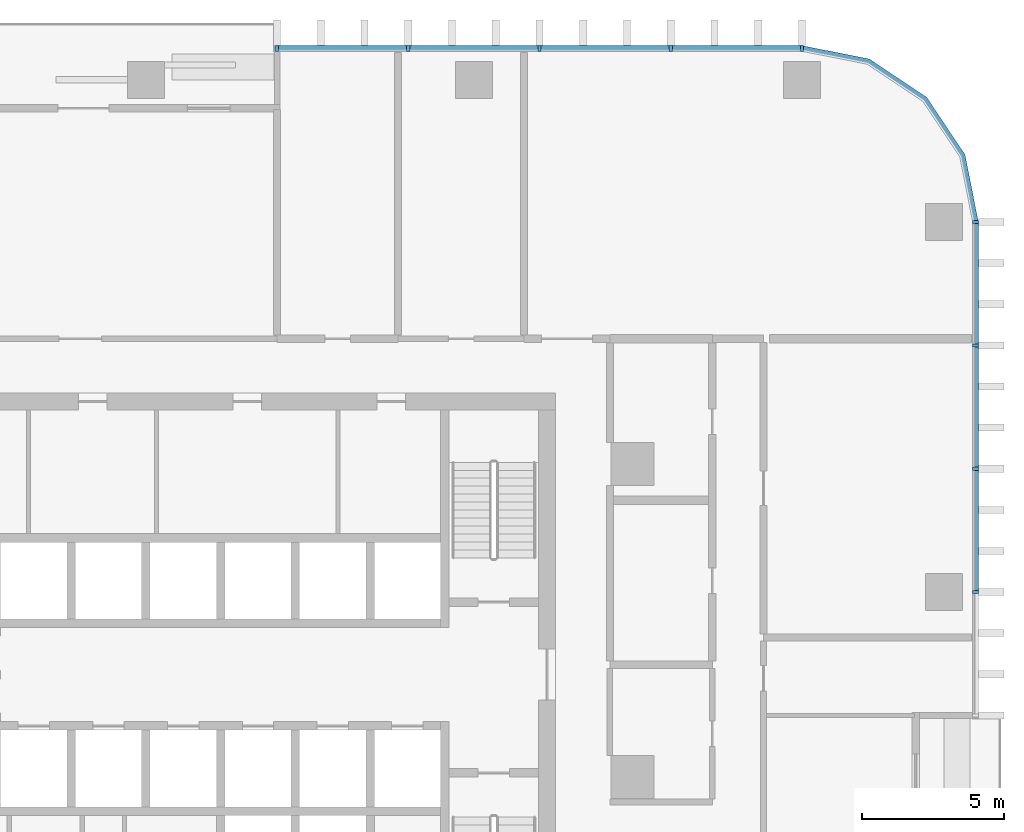
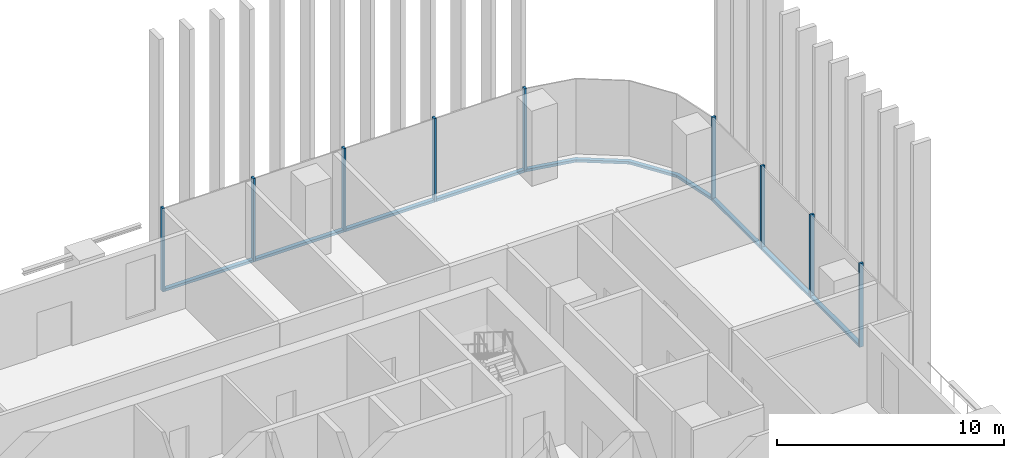
# One storey, part 5 of 17: 17 members, 3 elements without a shape of their own.
"""IFC4 building model written with IfcOpenShell, lengths in metres."""

from ifc_helpers import new_model, si_unit, direction, frame, origin, origin_2d, place, context, subcontext, project, spatial, polyline, rectangle, outline, extrude, material, material_profile, profile_set, type_object, element, aggregate, save


model = new_model("IFC4")

# Units and contexts
model_context = context("Model", 3, precision=1e-05, world=origin(), true_north=direction((0.0, 1.0)))
body_context = subcontext(model_context, "Body", "Model", "MODEL_VIEW")
ifc_project = project(units=[si_unit("LENGTHUNIT", "METRE"), si_unit("AREAUNIT", "SQUARE_METRE"), si_unit("VOLUMEUNIT", "CUBIC_METRE"), si_unit("PLANEANGLEUNIT", "RADIAN"), si_unit("MASSUNIT", "GRAM", prefix="KILO")], contexts=[model_context])

# Site, building, storey
site_placement = place(None, origin())
site = spatial("IfcSite", under=ifc_project, at=site_placement, CompositionType="ELEMENT")
building_placement = place(site_placement, origin())
building = spatial("IfcBuilding", under=site, at=building_placement, Name="Mopane Tessera Tower", CompositionType="ELEMENT")
storey_placement = place(building_placement, frame((0.0, 0.0, 121.60009765625)))
storey = spatial("IfcBuildingStorey", under=building, at=storey_placement, Name="L24", CompositionType="ELEMENT", Elevation=121.60009765625)

# Curtain wall, members
ifc_material_1 = material(Name="Aluminium frame", Category="aluminium")
curtain_wall_type = type_object("IfcCurtainWallType", Name="Lower tower unitised wall", PredefinedType="NOTDEFINED", material=ifc_material_1)
curtain_wall_1_placement = place(storey_placement, origin())
curtain_wall_1 = element("IfcCurtainWall", 1, at=curtain_wall_1_placement, inside=storey, type_object=curtain_wall_type, Name="e:cw:L24:E:5", PredefinedType="NOTDEFINED")
ifc_material_2 = material(Name="Aluminium frame", Category="aluminium")
ifc_material_profile_1 = material_profile(ifc_material_2, rectangle(XDim=0.110107421875, YDim=0.199951171875, at=origin_2d()))
ifc_profile_set_1 = profile_set([ifc_material_profile_1], Name="Aluminium frame")
member_type_1 = type_object("IfcMemberType", Name="Aluminium mullion 110 x 200", PredefinedType="MULLION", material=ifc_profile_set_1)
member_1_placement = place(storey_placement, frame((29.14990234375, 6.5, -0.4501953125), z_axis=(0.0, 0.0, 1.0), x_axis=(0.0, 1.0, 0.0)))
member_1 = element("IfcMember", 2, at=member_1_placement, type_object=member_type_1, Name="e:cw:L24:E:5:mu6", PredefinedType="MULLION", context=body_context, shape_type="SweptSolid", body=[
    extrude(rectangle(XDim=0.110107421875, YDim=0.199951171875, at=origin_2d()), origin(), (0.0, 0.0, 1.0), 4.5),
])
member_2_placement = place(storey_placement, frame((29.14990234375, 10.833251953125, -0.4501953125), z_axis=(0.0, 0.0, 1.0), x_axis=(0.0, 1.0, 0.0)))
member_2 = element("IfcMember", 3, at=member_2_placement, type_object=member_type_1, Name="e:cw:L24:E:5:mu7", PredefinedType="MULLION", context=body_context, shape_type="SweptSolid", body=[
    extrude(rectangle(XDim=0.110107421875, YDim=0.199951171875, at=origin_2d()), origin(), (0.0, 0.0, 1.0), 4.5),
])
member_3_placement = place(storey_placement, frame((29.14990234375, 15.166748046875, -0.4501953125), z_axis=(0.0, 0.0, 1.0), x_axis=(0.0, 1.0, 0.0)))
member_3 = element("IfcMember", 4, at=member_3_placement, type_object=member_type_1, Name="e:cw:L24:E:5:mu8", PredefinedType="MULLION", context=body_context, shape_type="SweptSolid", body=[
    extrude(rectangle(XDim=0.110107421875, YDim=0.199951171875, at=origin_2d()), origin(), (0.0, 0.0, 1.0), 4.5),
])
member_4_placement = place(storey_placement, frame((29.14990234375, 19.5, -0.4501953125), z_axis=(0.0, 0.0, 1.0), x_axis=(0.0, 1.0, 0.0)))
member_4 = element("IfcMember", 5, at=member_4_placement, type_object=member_type_1, Name="e:cw:L24:E:5:mu9", PredefinedType="MULLION", context=body_context, shape_type="SweptSolid", body=[
    extrude(rectangle(XDim=0.110107421875, YDim=0.199951171875, at=origin_2d()), origin(), (0.0, 0.0, 1.0), 4.5),
])

curtain_wall_2_placement = place(storey_placement, origin())
curtain_wall_2 = element("IfcCurtainWall", 6, at=curtain_wall_2_placement, inside=storey, type_object=curtain_wall_type, Name="e:cw:L24:N:0", PredefinedType="NOTDEFINED")
member_5_placement = place(storey_placement, frame((23.050048828125, 25.60009765625, -0.4501953125), z_axis=(0.0, 0.0, 1.0), x_axis=(-1.0, 0.0, 0.0)))
member_5 = element("IfcMember", 7, at=member_5_placement, type_object=member_type_1, Name="e:cw:L24:N:0:mu0", PredefinedType="MULLION", context=body_context, shape_type="SweptSolid", body=[
    extrude(rectangle(XDim=0.110107421875, YDim=0.199951171875, at=origin_2d()), origin(), (0.0, 0.0, 1.0), 4.5),
])
member_6_placement = place(storey_placement, frame((18.43994140625, 25.60009765625, -0.4501953125), z_axis=(0.0, 0.0, 1.0), x_axis=(-1.0, 0.0, 0.0)))
member_6 = element("IfcMember", 8, at=member_6_placement, type_object=member_type_1, Name="e:cw:L24:N:0:mu1", PredefinedType="MULLION", context=body_context, shape_type="SweptSolid", body=[
    extrude(rectangle(XDim=0.110107421875, YDim=0.199951171875, at=origin_2d()), origin(), (0.0, 0.0, 1.0), 4.5),
])
member_7_placement = place(storey_placement, frame((13.830078125, 25.60009765625, -0.4501953125), z_axis=(0.0, 0.0, 1.0), x_axis=(-1.0, 0.0, 0.0)))
member_7 = element("IfcMember", 9, at=member_7_placement, type_object=member_type_1, Name="e:cw:L24:N:0:mu2", PredefinedType="MULLION", context=body_context, shape_type="SweptSolid", body=[
    extrude(rectangle(XDim=0.110107421875, YDim=0.199951171875, at=origin_2d()), origin(), (0.0, 0.0, 1.0), 4.5),
])
member_8_placement = place(storey_placement, frame((9.219970703125, 25.60009765625, -0.4501953125), z_axis=(0.0, 0.0, 1.0), x_axis=(-1.0, 0.0, 0.0)))
member_8 = element("IfcMember", 10, at=member_8_placement, type_object=member_type_1, Name="e:cw:L24:N:0:mu3", PredefinedType="MULLION", context=body_context, shape_type="SweptSolid", body=[
    extrude(rectangle(XDim=0.110107421875, YDim=0.199951171875, at=origin_2d()), origin(), (0.0, 0.0, 1.0), 4.5),
])
member_9_placement = place(storey_placement, frame((4.610107421875, 25.60009765625, -0.4501953125), z_axis=(0.0, 0.0, 1.0), x_axis=(-1.0, 0.0, 0.0)))
member_9 = element("IfcMember", 11, at=member_9_placement, type_object=member_type_1, Name="e:cw:L24:N:0:mu4", PredefinedType="MULLION", context=body_context, shape_type="SweptSolid", body=[
    extrude(rectangle(XDim=0.110107421875, YDim=0.199951171875, at=origin_2d()), origin(), (0.0, 0.0, 1.0), 4.5),
])

# Member
ifc_material_3 = material(Name="Aluminium frame", Category="aluminium")
ifc_material_profile_2 = material_profile(ifc_material_3, rectangle(XDim=0.199951171875, YDim=0.139892578125, at=origin_2d()))
ifc_profile_set_2 = profile_set([ifc_material_profile_2], Name="Aluminium frame")
member_type_2 = type_object("IfcMemberType", Name="Aluminium transom 200 x 140", PredefinedType="USERDEFINED", material=ifc_profile_set_2)
member_10_placement = place(storey_placement, frame((29.14990234375, 6.554931640625, -0.380126953125), z_axis=(0.0, 1.0, 0.0), x_axis=(-1.0, 0.0, 0.0)))
member_10 = element("IfcMember", 12, at=member_10_placement, type_object=member_type_2, Name="e:cw:L24:E:5:tr6", ObjectType="TRANSOM", PredefinedType="USERDEFINED", context=body_context, shape_type="SweptSolid", body=[
    extrude(rectangle(XDim=0.199951171875, YDim=0.139892578125, at=origin_2d()), origin(), (0.0, 0.0, 1.0), 4.223388671875),
])

member_11_placement = place(storey_placement, frame((29.14990234375, 10.888427734375, -0.380126953125), z_axis=(0.0, 1.0, 0.0), x_axis=(-1.0, 0.0, 0.0)))
member_11 = element("IfcMember", 13, at=member_11_placement, type_object=member_type_2, Name="e:cw:L24:E:5:tr7", ObjectType="TRANSOM", PredefinedType="USERDEFINED", context=body_context, shape_type="SweptSolid", body=[
    extrude(rectangle(XDim=0.199951171875, YDim=0.139892578125, at=origin_2d()), origin(), (0.0, 0.0, 1.0), 4.22314453125),
])

member_12_placement = place(storey_placement, frame((29.14990234375, 15.2216796875, -0.380126953125), z_axis=(0.0, 1.0, 0.0), x_axis=(-1.0, 0.0, 0.0)))
member_12 = element("IfcMember", 14, at=member_12_placement, type_object=member_type_2, Name="e:cw:L24:E:5:tr8", ObjectType="TRANSOM", PredefinedType="USERDEFINED", context=body_context, shape_type="SweptSolid", body=[
    extrude(rectangle(XDim=0.199951171875, YDim=0.139892578125, at=origin_2d()), origin(), (0.0, 0.0, 1.0), 4.223388671875),
])

aggregate(curtain_wall_1, [member_1, member_2, member_3, member_4, member_10, member_11, member_12])

# Curtain wall, member
curtain_wall_3_placement = place(storey_placement, origin())
curtain_wall_3 = element("IfcCurtainWall", 15, at=curtain_wall_3_placement, inside=storey, type_object=curtain_wall_type, Name="e:cw:L24:CE", PredefinedType="NOTDEFINED")
member_13_placement = place(storey_placement, frame((0.0, 0.0, -0.4501953125)))
member_13 = element("IfcMember", 16, at=member_13_placement, type_object=member_type_2, Name="e:cw:L24:CE:tr", ObjectType="TRANSOM", PredefinedType="USERDEFINED", context=body_context, shape_type="SweptSolid", body=[
    extrude(outline(polyline([(29.050048828125, 19.5), (28.59326171875, 21.796142578125), (27.292724609375, 23.74267578125), (25.34619140625, 25.043212890625), (23.050048828125, 25.5), (23.050048828125, 25.699951171875), (25.422607421875, 25.22802734375), (27.43408203125, 23.884033203125), (28.778076171875, 21.87255859375), (29.25, 19.5), (29.050048828125, 19.5)])), origin(), (0.0, 0.0, 1.0), 0.14013671875),
])
aggregate(curtain_wall_3, [member_13])

# Member
member_14_placement = place(storey_placement, frame((22.9951171875, 25.60009765625, -0.380126953125), z_axis=(-1.0, 0.0, 0.0), x_axis=(0.0, -1.0, 0.0)))
member_14 = element("IfcMember", 17, at=member_14_placement, type_object=member_type_2, Name="e:cw:L24:N:0:tr0", ObjectType="TRANSOM", PredefinedType="USERDEFINED", context=body_context, shape_type="SweptSolid", body=[
    extrude(rectangle(XDim=0.199951171875, YDim=0.139892578125, at=origin_2d()), origin(), (0.0, 0.0, 1.0), 4.5),
])

member_15_placement = place(storey_placement, frame((18.385009765625, 25.60009765625, -0.380126953125), z_axis=(-1.0, 0.0, 0.0), x_axis=(0.0, -1.0, 0.0)))
member_15 = element("IfcMember", 18, at=member_15_placement, type_object=member_type_2, Name="e:cw:L24:N:0:tr1", ObjectType="TRANSOM", PredefinedType="USERDEFINED", context=body_context, shape_type="SweptSolid", body=[
    extrude(rectangle(XDim=0.199951171875, YDim=0.139892578125, at=origin_2d()), origin(), (0.0, 0.0, 1.0), 4.5),
])

member_16_placement = place(storey_placement, frame((13.77490234375, 25.60009765625, -0.380126953125), z_axis=(-1.0, 0.0, 0.0), x_axis=(0.0, -1.0, 0.0)))
member_16 = element("IfcMember", 19, at=member_16_placement, type_object=member_type_2, Name="e:cw:L24:N:0:tr2", ObjectType="TRANSOM", PredefinedType="USERDEFINED", context=body_context, shape_type="SweptSolid", body=[
    extrude(rectangle(XDim=0.199951171875, YDim=0.139892578125, at=origin_2d()), origin(), (0.0, 0.0, 1.0), 4.5),
])

member_17_placement = place(storey_placement, frame((9.1650390625, 25.60009765625, -0.380126953125), z_axis=(-1.0, 0.0, 0.0), x_axis=(0.0, -1.0, 0.0)))
member_17 = element("IfcMember", 20, at=member_17_placement, type_object=member_type_2, Name="e:cw:L24:N:0:tr3", ObjectType="TRANSOM", PredefinedType="USERDEFINED", context=body_context, shape_type="SweptSolid", body=[
    extrude(rectangle(XDim=0.199951171875, YDim=0.139892578125, at=origin_2d()), origin(), (0.0, 0.0, 1.0), 4.5),
])

aggregate(curtain_wall_2, [member_5, member_6, member_7, member_8, member_9, member_14, member_15, member_16, member_17])

save(model, "model.ifc")
